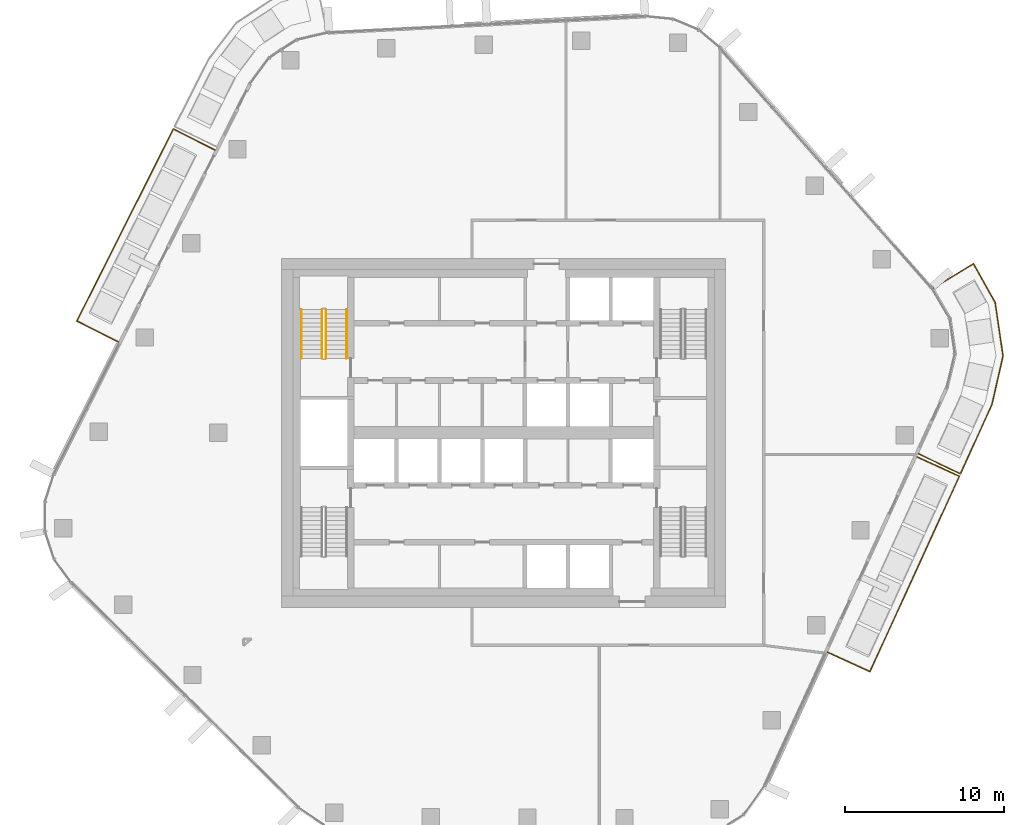
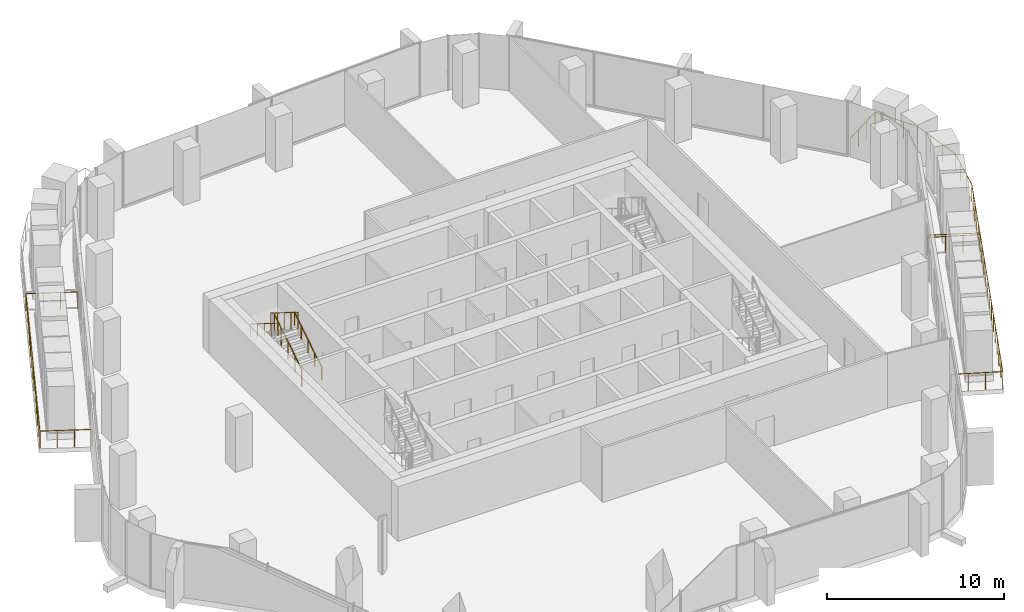
# One storey, part 18 of 21: 7 railings.
"""IFC4 building model written with IfcOpenShell, lengths in metres."""

from ifc_helpers import new_model, si_unit, direction, frame, origin, origin_2d, place, context, subcontext, project, spatial, circle, extrude, material, type_object, element, save


model = new_model("IFC4")

# Units and contexts
model_context = context("Model", 3, precision=1e-05, world=origin(), true_north=direction((0.0, 1.0)))
body_context = subcontext(model_context, "Body", "Model", "MODEL_VIEW")
ifc_project = project(units=[si_unit("LENGTHUNIT", "METRE"), si_unit("AREAUNIT", "SQUARE_METRE"), si_unit("VOLUMEUNIT", "CUBIC_METRE"), si_unit("PLANEANGLEUNIT", "RADIAN"), si_unit("MASSUNIT", "GRAM", prefix="KILO")], contexts=[model_context])

# Site, building, storey
site_placement = place(None, origin())
site = spatial("IfcSite", under=ifc_project, at=site_placement, CompositionType="ELEMENT")
building_placement = place(site_placement, origin())
building = spatial("IfcBuilding", under=site, at=building_placement, Name="Dongbaek Canopy Tower", CompositionType="ELEMENT")
storey_placement = place(building_placement, frame((0.0, 0.0, 232.800048828125)))
storey = spatial("IfcBuildingStorey", under=building, at=storey_placement, Name="L48", CompositionType="ELEMENT", Elevation=232.800048828125)

# Railings
ifc_material_1 = material(Name="Stainless steel", Category="steel")
railing_type_1 = type_object("IfcRailingType", Name="Balcony balustrade 1200", PredefinedType="BALUSTRADE", material=ifc_material_1)
railing_1_placement = place(storey_placement, frame((-18.20263671875, 17.837646484375, 0.0)))
element("IfcRailing", 1, at=railing_1_placement, inside=storey, type_object=railing_type_1, Name="Balcony guard L48 1", PredefinedType="BALUSTRADE", context=body_context, shape_type="SweptSolid", body=[
    extrude(circle(Radius=0.02392578125, at=origin_2d()), frame((0.0, 0.0, 1.17578125), z_axis=(-0.893561857338, 0.448940093008, 0.0), x_axis=(-0.448940093008, -0.893561857338, 0.0)), (0.0, 0.0, 1.0), 2.93994140625),
    extrude(circle(Radius=0.02392578125, at=origin_2d()), frame((-2.626953125, 1.31982421875, 1.17578125), z_axis=(-0.448906235876, -0.893578866912, 0.0), x_axis=(0.893578866912, -0.448906235876, 0.0)), (0.0, 0.0, 1.0), 13.5517578125),
    extrude(circle(Radius=0.02392578125, at=origin_2d()), frame((-8.71044921875, -10.789794921875, 1.17578125), z_axis=(0.893561857338, -0.448940093008, 0.0), x_axis=(0.448940093008, 0.893561857338, 0.0)), (0.0, 0.0, 1.0), 2.93994140625),
    extrude(circle(Radius=0.02099609375, at=origin_2d()), origin(), (0.0, 0.0, 1.0), 1.15185546875),
    extrude(circle(Radius=0.02099609375, at=origin_2d()), frame((-0.875732421875, 0.43994140625, 0.0)), (0.0, 0.0, 1.0), 1.15185546875),
    extrude(circle(Radius=0.02099609375, at=origin_2d()), frame((-1.751220703125, 0.8798828125, 0.0)), (0.0, 0.0, 1.0), 1.15185546875),
    extrude(circle(Radius=0.02099609375, at=origin_2d()), frame((-2.626953125, 1.31982421875, 0.0)), (0.0, 0.0, 1.0), 1.15185546875),
    extrude(circle(Radius=0.02099609375, at=origin_2d()), frame((-3.1337890625, 0.310791015625, 0.0)), (0.0, 0.0, 1.0), 1.15185546875),
    extrude(circle(Radius=0.02099609375, at=origin_2d()), frame((-3.640869140625, -0.698486328125, 0.0)), (0.0, 0.0, 1.0), 1.15185546875),
    extrude(circle(Radius=0.02099609375, at=origin_2d()), frame((-4.14794921875, -1.70751953125, 0.0)), (0.0, 0.0, 1.0), 1.15185546875),
    extrude(circle(Radius=0.02099609375, at=origin_2d()), frame((-4.65478515625, -2.716796875, 0.0)), (0.0, 0.0, 1.0), 1.15185546875),
    extrude(circle(Radius=0.02099609375, at=origin_2d()), frame((-5.16162109375, -3.725830078125, 0.0)), (0.0, 0.0, 1.0), 1.15185546875),
    extrude(circle(Radius=0.02099609375, at=origin_2d()), frame((-5.668701171875, -4.73486328125, 0.0)), (0.0, 0.0, 1.0), 1.15185546875),
    extrude(circle(Radius=0.02099609375, at=origin_2d()), frame((-6.17578125, -5.744140625, 0.0)), (0.0, 0.0, 1.0), 1.15185546875),
    extrude(circle(Radius=0.02099609375, at=origin_2d()), frame((-6.6826171875, -6.753173828125, 0.0)), (0.0, 0.0, 1.0), 1.15185546875),
    extrude(circle(Radius=0.02099609375, at=origin_2d()), frame((-7.189453125, -7.762451171875, 0.0)), (0.0, 0.0, 1.0), 1.15185546875),
    extrude(circle(Radius=0.02099609375, at=origin_2d()), frame((-7.696533203125, -8.771484375, 0.0)), (0.0, 0.0, 1.0), 1.15185546875),
    extrude(circle(Radius=0.02099609375, at=origin_2d()), frame((-8.20361328125, -9.78076171875, 0.0)), (0.0, 0.0, 1.0), 1.15185546875),
    extrude(circle(Radius=0.02099609375, at=origin_2d()), frame((-8.71044921875, -10.789794921875, 0.0)), (0.0, 0.0, 1.0), 1.15185546875),
    extrude(circle(Radius=0.02099609375, at=origin_2d()), frame((-7.834716796875, -11.229736328125, 0.0)), (0.0, 0.0, 1.0), 1.15185546875),
    extrude(circle(Radius=0.02099609375, at=origin_2d()), frame((-6.959228515625, -11.669677734375, 0.0)), (0.0, 0.0, 1.0), 1.15185546875),
    extrude(circle(Radius=0.02099609375, at=origin_2d()), frame((-6.08349609375, -12.109619140625, 0.0)), (0.0, 0.0, 1.0), 1.15185546875),
])
railing_2_placement = place(storey_placement, frame((20.420166015625, -13.833740234375, 0.0)))
element("IfcRailing", 2, at=railing_2_placement, inside=storey, type_object=railing_type_1, Name="Balcony guard L48 2", PredefinedType="BALUSTRADE", context=body_context, shape_type="SweptSolid", body=[
    extrude(circle(Radius=0.02392578125, at=origin_2d()), frame((0.0, 0.0, 1.17578125), z_axis=(0.909339851733, -0.416054123944, 0.0), x_axis=(0.416054123944, 0.909339851733, 0.0)), (0.0, 0.0, 1.0), 2.93994140625),
    extrude(circle(Radius=0.02392578125, at=origin_2d()), frame((2.67333984375, -1.22314453125, 1.17578125), z_axis=(0.416110312837, 0.90931414129, 0.0), x_axis=(-0.90931414129, 0.416110312837, 0.0)), (0.0, 0.0, 1.0), 13.54443359375),
    extrude(circle(Radius=0.02392578125, at=origin_2d()), frame((8.309326171875, 11.093017578125, 1.17578125), z_axis=(-0.90930843153, 0.41612278999, 0.0), x_axis=(-0.41612278999, -0.90930843153, 0.0)), (0.0, 0.0, 1.0), 2.93994140625),
    extrude(circle(Radius=0.02099609375, at=origin_2d()), origin(), (0.0, 0.0, 1.0), 1.15185546875),
    extrude(circle(Radius=0.02099609375, at=origin_2d()), frame((0.89111328125, -0.40771484375, 0.0)), (0.0, 0.0, 1.0), 1.15185546875),
    extrude(circle(Radius=0.02099609375, at=origin_2d()), frame((1.7822265625, -0.8154296875, 0.0)), (0.0, 0.0, 1.0), 1.15185546875),
    extrude(circle(Radius=0.02099609375, at=origin_2d()), frame((2.67333984375, -1.22314453125, 0.0)), (0.0, 0.0, 1.0), 1.15185546875),
    extrude(circle(Radius=0.02099609375, at=origin_2d()), frame((3.14306640625, -0.19677734375, 0.0)), (0.0, 0.0, 1.0), 1.15185546875),
    extrude(circle(Radius=0.02099609375, at=origin_2d()), frame((3.61279296875, 0.82958984375, 0.0)), (0.0, 0.0, 1.0), 1.15185546875),
    extrude(circle(Radius=0.02099609375, at=origin_2d()), frame((4.082275390625, 1.85595703125, 0.0)), (0.0, 0.0, 1.0), 1.15185546875),
    extrude(circle(Radius=0.02099609375, at=origin_2d()), frame((4.552001953125, 2.88232421875, 0.0)), (0.0, 0.0, 1.0), 1.15185546875),
    extrude(circle(Radius=0.02099609375, at=origin_2d()), frame((5.021728515625, 3.90869140625, 0.0)), (0.0, 0.0, 1.0), 1.15185546875),
    extrude(circle(Radius=0.02099609375, at=origin_2d()), frame((5.4912109375, 4.93505859375, 0.0)), (0.0, 0.0, 1.0), 1.15185546875),
    extrude(circle(Radius=0.02099609375, at=origin_2d()), frame((5.9609375, 5.961181640625, 0.0)), (0.0, 0.0, 1.0), 1.15185546875),
    extrude(circle(Radius=0.02099609375, at=origin_2d()), frame((6.4306640625, 6.987548828125, 0.0)), (0.0, 0.0, 1.0), 1.15185546875),
    extrude(circle(Radius=0.02099609375, at=origin_2d()), frame((6.900390625, 8.013916015625, 0.0)), (0.0, 0.0, 1.0), 1.15185546875),
    extrude(circle(Radius=0.02099609375, at=origin_2d()), frame((7.3701171875, 9.040283203125, 0.0)), (0.0, 0.0, 1.0), 1.15185546875),
    extrude(circle(Radius=0.02099609375, at=origin_2d()), frame((7.839599609375, 10.066650390625, 0.0)), (0.0, 0.0, 1.0), 1.15185546875),
    extrude(circle(Radius=0.02099609375, at=origin_2d()), frame((8.309326171875, 11.093017578125, 0.0)), (0.0, 0.0, 1.0), 1.15185546875),
    extrude(circle(Radius=0.02099609375, at=origin_2d()), frame((7.418212890625, 11.500732421875, 0.0)), (0.0, 0.0, 1.0), 1.15185546875),
    extrude(circle(Radius=0.02099609375, at=origin_2d()), frame((6.527099609375, 11.90869140625, 0.0)), (0.0, 0.0, 1.0), 1.15185546875),
    extrude(circle(Radius=0.02099609375, at=origin_2d()), frame((5.635986328125, 12.31640625, 0.0)), (0.0, 0.0, 1.0), 1.15185546875),
])
railing_3_placement = place(storey_placement, frame((26.147705078125, -1.3173828125, 0.0)))
element("IfcRailing", 3, at=railing_3_placement, inside=storey, type_object=railing_type_1, Name="Balcony guard L48 3", PredefinedType="BALUSTRADE", context=body_context, shape_type="SweptSolid", body=[
    extrude(circle(Radius=0.02392578125, at=origin_2d()), frame((0.0, 0.0, 1.17578125), z_axis=(0.900648008926, -0.434549380413, 0.0), x_axis=(0.434549380413, 0.900648008926, 0.0)), (0.0, 0.0, 1.0), 2.940673828125),
    extrude(circle(Radius=0.02392578125, at=origin_2d()), frame((2.6484375, -1.27783203125, 1.17578125), z_axis=(0.413573956209, 0.910470528213, 0.0), x_axis=(-0.910470528213, 0.413573956209, 0.0)), (0.0, 0.0, 1.0), 4.820068359375),
    extrude(circle(Radius=0.02392578125, at=origin_2d()), frame((4.641845703125, 3.110595703125, 1.17578125), z_axis=(0.22237203098, 0.974961886351, 0.0), x_axis=(-0.974961886351, 0.22237203098, 0.0)), (0.0, 0.0, 1.0), 3.13330078125),
    extrude(circle(Radius=0.02392578125, at=origin_2d()), frame((5.338623046875, 6.16552734375, 1.17578125), z_axis=(-0.146377531235, 0.989228799798, 0.0), x_axis=(-0.989228799798, -0.146377531235, 0.0)), (0.0, 0.0, 1.0), 3.41259765625),
    extrude(circle(Radius=0.02392578125, at=origin_2d()), frame((4.839111328125, 9.541259765625, 1.17578125), z_axis=(-0.489706776899, 0.871887190329, 0.0), x_axis=(-0.871887190329, -0.489706776899, 0.0)), (0.0, 0.0, 1.0), 2.8017578125),
    extrude(circle(Radius=0.02392578125, at=origin_2d()), frame((3.467041015625, 11.984130859375, 1.17578125), z_axis=(-0.85177802497, -0.523902849943, 0.0), x_axis=(0.523902849943, -0.85177802497, 0.0)), (0.0, 0.0, 1.0), 2.9404296875),
    extrude(circle(Radius=0.02099609375, at=origin_2d()), origin(), (0.0, 0.0, 1.0), 1.15185546875),
    extrude(circle(Radius=0.02099609375, at=origin_2d()), frame((0.8828125, -0.426025390625, 0.0)), (0.0, 0.0, 1.0), 1.15185546875),
    extrude(circle(Radius=0.02099609375, at=origin_2d()), frame((1.765625, -0.851806640625, 0.0)), (0.0, 0.0, 1.0), 1.15185546875),
    extrude(circle(Radius=0.02099609375, at=origin_2d()), frame((2.6484375, -1.27783203125, 0.0)), (0.0, 0.0, 1.0), 1.15185546875),
    extrude(circle(Radius=0.02099609375, at=origin_2d()), frame((3.047119140625, -0.400146484375, 0.0)), (0.0, 0.0, 1.0), 1.15185546875),
    extrude(circle(Radius=0.02099609375, at=origin_2d()), frame((3.44580078125, 0.4775390625, 0.0)), (0.0, 0.0, 1.0), 1.15185546875),
    extrude(circle(Radius=0.02099609375, at=origin_2d()), frame((3.844482421875, 1.355224609375, 0.0)), (0.0, 0.0, 1.0), 1.15185546875),
    extrude(circle(Radius=0.02099609375, at=origin_2d()), frame((4.2431640625, 2.23291015625, 0.0)), (0.0, 0.0, 1.0), 1.15185546875),
    extrude(circle(Radius=0.02099609375, at=origin_2d()), frame((4.641845703125, 3.110595703125, 0.0)), (0.0, 0.0, 1.0), 1.15185546875),
    extrude(circle(Radius=0.02099609375, at=origin_2d()), frame((4.8740234375, 4.12890625, 0.0)), (0.0, 0.0, 1.0), 1.15185546875),
    extrude(circle(Radius=0.02099609375, at=origin_2d()), frame((5.1064453125, 5.147216796875, 0.0)), (0.0, 0.0, 1.0), 1.15185546875),
    extrude(circle(Radius=0.02099609375, at=origin_2d()), frame((5.338623046875, 6.16552734375, 0.0)), (0.0, 0.0, 1.0), 1.15185546875),
    extrude(circle(Radius=0.02099609375, at=origin_2d()), frame((5.172119140625, 7.290771484375, 0.0)), (0.0, 0.0, 1.0), 1.15185546875),
    extrude(circle(Radius=0.02099609375, at=origin_2d()), frame((5.005615234375, 8.416015625, 0.0)), (0.0, 0.0, 1.0), 1.15185546875),
    extrude(circle(Radius=0.02099609375, at=origin_2d()), frame((4.839111328125, 9.541259765625, 0.0)), (0.0, 0.0, 1.0), 1.15185546875),
    extrude(circle(Radius=0.02099609375, at=origin_2d()), frame((4.3818359375, 10.35546875, 0.0)), (0.0, 0.0, 1.0), 1.15185546875),
    extrude(circle(Radius=0.02099609375, at=origin_2d()), frame((3.92431640625, 11.169921875, 0.0)), (0.0, 0.0, 1.0), 1.15185546875),
    extrude(circle(Radius=0.02099609375, at=origin_2d()), frame((3.467041015625, 11.984130859375, 0.0)), (0.0, 0.0, 1.0), 1.15185546875),
    extrude(circle(Radius=0.02099609375, at=origin_2d()), frame((2.632080078125, 11.470703125, 0.0)), (0.0, 0.0, 1.0), 1.15185546875),
    extrude(circle(Radius=0.02099609375, at=origin_2d()), frame((1.79736328125, 10.95703125, 0.0)), (0.0, 0.0, 1.0), 1.15185546875),
    extrude(circle(Radius=0.02099609375, at=origin_2d()), frame((0.96240234375, 10.443603515625, 0.0)), (0.0, 0.0, 1.0), 1.15185546875),
])
ifc_material_2 = material(Name="Stainless steel tube and balusters", Category="steel")
railing_type_2 = type_object("IfcRailingType", Name="Stair guard 1200", PredefinedType="GUARDRAIL", material=ifc_material_2)
railing_4_placement = place(storey_placement, frame((-11.199951171875, 4.699951171875, 0.175048828125)))
element("IfcRailing", 4, at=railing_4_placement, inside=storey, type_object=railing_type_2, Name="L48 ST-C stair guard 1", PredefinedType="GUARDRAIL", context=body_context, shape_type="SweptSolid", body=[
    extrude(circle(Radius=0.02392578125, at=origin_2d()), frame((0.0, 0.0, 1.17578125), z_axis=(0.0, 0.848028513186, 0.529950602248), x_axis=(-1.0, 0.0, 0.0)), (0.0, 0.0, 1.0), 3.632080078125),
    extrude(circle(Radius=0.02099609375, at=origin_2d()), origin(), (0.0, 0.0, 1.0), 1.15185546875),
    extrude(circle(Radius=0.02099609375, at=origin_2d()), frame((0.0, 0.77001953125, 0.481201171875)), (0.0, 0.0, 1.0), 1.15185546875),
    extrude(circle(Radius=0.02099609375, at=origin_2d()), frame((0.0, 1.5400390625, 0.96240234375)), (0.0, 0.0, 1.0), 1.15185546875),
    extrude(circle(Radius=0.02099609375, at=origin_2d()), frame((0.0, 2.31005859375, 1.443603515625)), (0.0, 0.0, 1.0), 1.15185546875),
    extrude(circle(Radius=0.02099609375, at=origin_2d()), frame((0.0, 3.080078125, 1.9248046875)), (0.0, 0.0, 1.0), 1.15185546875),
])
railing_5_placement = place(storey_placement, frame((-11.449951171875, 7.780029296875, 2.27490234375)))
element("IfcRailing", 5, at=railing_5_placement, inside=storey, type_object=railing_type_2, Name="L48 ST-C stair guard 3", PredefinedType="GUARDRAIL", context=body_context, shape_type="SweptSolid", body=[
    extrude(circle(Radius=0.02392578125, at=origin_2d()), frame((0.0, 0.0, 1.17578125), z_axis=(0.0, -0.847998304005, 0.529998940003), x_axis=(1.0, 0.0, 0.0)), (0.0, 0.0, 1.0), 3.632080078125),
    extrude(circle(Radius=0.02099609375, at=origin_2d()), origin(), (0.0, 0.0, 1.0), 1.15185546875),
    extrude(circle(Radius=0.02099609375, at=origin_2d()), frame((0.0, -0.77001953125, 0.481201171875)), (0.0, 0.0, 1.0), 1.15185546875),
    extrude(circle(Radius=0.02099609375, at=origin_2d()), frame((0.0, -1.5400390625, 0.96240234375)), (0.0, 0.0, 1.0), 1.15185546875),
    extrude(circle(Radius=0.02099609375, at=origin_2d()), frame((0.0, -2.31005859375, 1.44384765625)), (0.0, 0.0, 1.0), 1.15185546875),
    extrude(circle(Radius=0.02099609375, at=origin_2d()), frame((0.0, -3.080078125, 1.925048828125)), (0.0, 0.0, 1.0), 1.15185546875),
])
ifc_material_3 = material(Name="Stainless steel tube", Category="steel")
railing_type_3 = type_object("IfcRailingType", Name="Stair handrail 900", PredefinedType="HANDRAIL", material=ifc_material_3)
railing_6_placement = place(storey_placement, frame((-9.89990234375, 4.699951171875, 0.175048828125)))
element("IfcRailing", 6, at=railing_6_placement, inside=storey, type_object=railing_type_3, Name="L48 ST-C stair handrail 1", PredefinedType="HANDRAIL", context=body_context, shape_type="SweptSolid", body=[
    extrude(circle(Radius=0.02392578125, at=origin_2d()), frame((0.0, 0.0, 0.8759765625), z_axis=(0.0, 0.848028513186, 0.529950602248), x_axis=(-1.0, 0.0, 0.0)), (0.0, 0.0, 1.0), 3.632080078125),
    extrude(circle(Radius=0.02099609375, at=origin_2d()), origin(), (0.0, 0.0, 1.0), 0.851806640625),
    extrude(circle(Radius=0.02099609375, at=origin_2d()), frame((0.0, 0.77001953125, 0.481201171875)), (0.0, 0.0, 1.0), 0.851806640625),
    extrude(circle(Radius=0.02099609375, at=origin_2d()), frame((0.0, 1.5400390625, 0.96240234375)), (0.0, 0.0, 1.0), 0.851806640625),
    extrude(circle(Radius=0.02099609375, at=origin_2d()), frame((0.0, 2.31005859375, 1.443603515625)), (0.0, 0.0, 1.0), 0.851806640625),
    extrude(circle(Radius=0.02099609375, at=origin_2d()), frame((0.0, 3.080078125, 1.9248046875)), (0.0, 0.0, 1.0), 0.851806640625),
])
railing_7_placement = place(storey_placement, frame((-12.75, 7.780029296875, 2.27490234375)))
element("IfcRailing", 7, at=railing_7_placement, inside=storey, type_object=railing_type_3, Name="L48 ST-C stair handrail 2", PredefinedType="HANDRAIL", context=body_context, shape_type="SweptSolid", body=[
    extrude(circle(Radius=0.02392578125, at=origin_2d()), frame((0.0, 0.0, 0.8759765625), z_axis=(0.0, -0.847998304005, 0.529998940003), x_axis=(1.0, 0.0, 0.0)), (0.0, 0.0, 1.0), 3.632080078125),
    extrude(circle(Radius=0.02099609375, at=origin_2d()), origin(), (0.0, 0.0, 1.0), 0.851806640625),
    extrude(circle(Radius=0.02099609375, at=origin_2d()), frame((0.0, -0.77001953125, 0.481201171875)), (0.0, 0.0, 1.0), 0.851806640625),
    extrude(circle(Radius=0.02099609375, at=origin_2d()), frame((0.0, -1.5400390625, 0.96240234375)), (0.0, 0.0, 1.0), 0.851806640625),
    extrude(circle(Radius=0.02099609375, at=origin_2d()), frame((0.0, -2.31005859375, 1.44384765625)), (0.0, 0.0, 1.0), 0.851806640625),
    extrude(circle(Radius=0.02099609375, at=origin_2d()), frame((0.0, -3.080078125, 1.925048828125)), (0.0, 0.0, 1.0), 0.851806640625),
])

save(model, "model.ifc")
